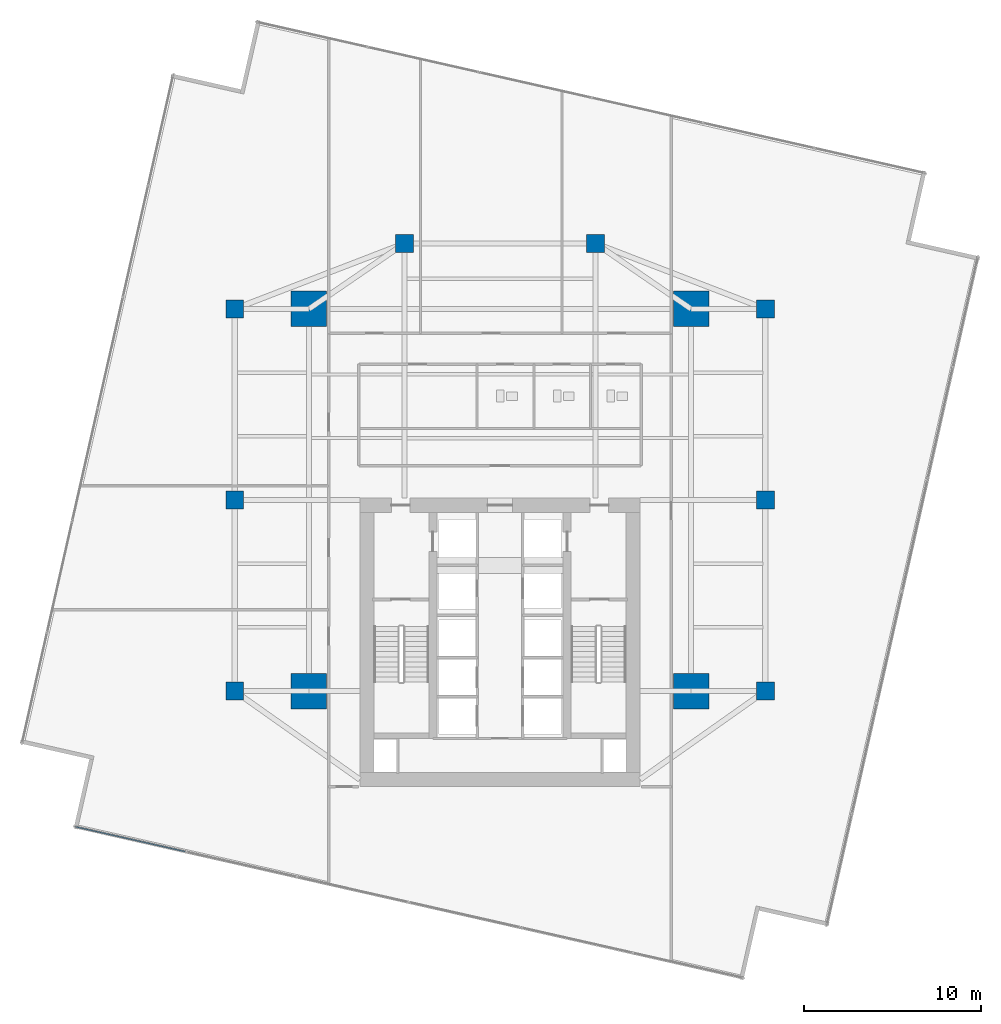
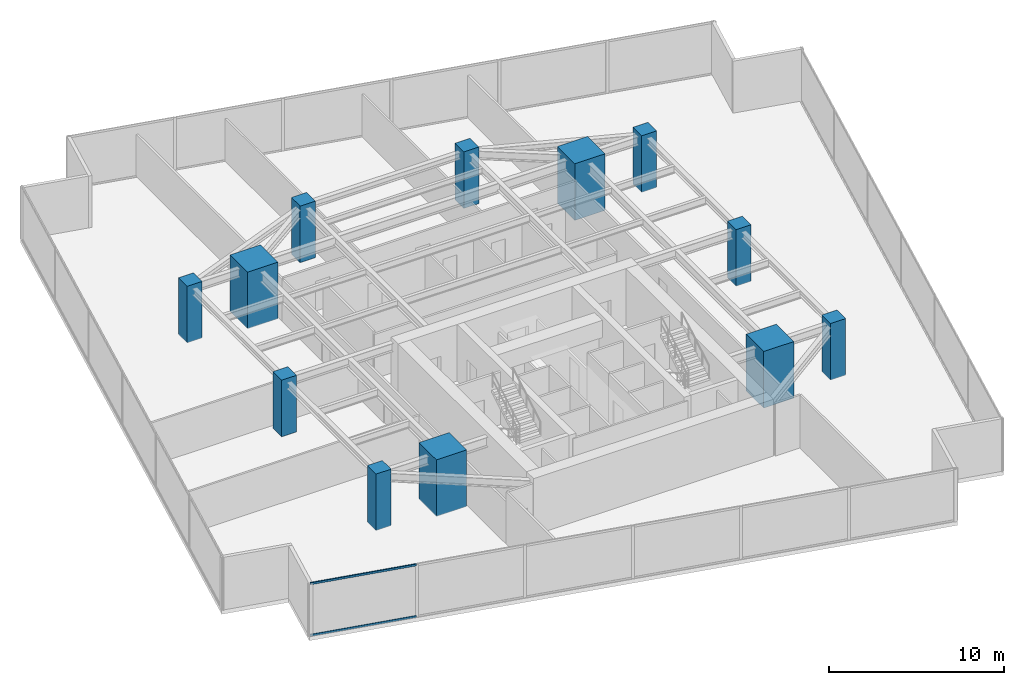
# One storey, part 1 of 27: 12 columns, 2 members, 1 element without a shape of its own.
"""IFC4 building model written with IfcOpenShell, lengths in metres."""

from ifc_helpers import new_model, si_unit, direction, frame, origin, origin_2d, place, context, subcontext, project, spatial, rectangle, hollow_rectangle, extrude, source, transform, mapped, material, material_profile, profile_set, type_object, type_shapes, element, aggregate, save


model = new_model("IFC4")

# Units and contexts
model_context = context("Model", 3, precision=1e-05, world=origin(), true_north=direction((0.0, 1.0)))
body_context = subcontext(model_context, "Body", "Model", "MODEL_VIEW")
ifc_project = project(units=[si_unit("LENGTHUNIT", "METRE"), si_unit("AREAUNIT", "SQUARE_METRE"), si_unit("VOLUMEUNIT", "CUBIC_METRE"), si_unit("PLANEANGLEUNIT", "RADIAN"), si_unit("MASSUNIT", "GRAM", prefix="KILO")], contexts=[model_context])

# Site, building, storey
site_placement = place(None, origin())
site = spatial("IfcSite", under=ifc_project, at=site_placement, CompositionType="ELEMENT")
building_placement = place(site_placement, origin())
building = spatial("IfcBuilding", under=site, at=building_placement, Name="Krantzveldt Concourse Tower", CompositionType="ELEMENT")
storey_placement = place(building_placement, frame((0.0, 0.0, 86.10009765625)))
storey = spatial("IfcBuildingStorey", under=building, at=storey_placement, Name="L20", CompositionType="ELEMENT", Elevation=86.10009765625)

# Columns
ifc_material_1 = material(Name="Concrete C60/75", Category="concrete")
ifc_material_profile_1 = material_profile(ifc_material_1, rectangle(XDim=2.0, YDim=2.0, at=origin_2d()), Name="Concrete C60/75", Category="concrete")
ifc_profile_set_1 = profile_set([ifc_material_profile_1], Name="Concrete C60/75 - RC 2000x2000")
column_type_1 = type_object("IfcColumnType", Name="COL-MC-2000", PredefinedType="USERDEFINED", material=ifc_profile_set_1)
shared_shape_1 = source(origin(), body_context, "Body", "SweptSolid", [
    extrude(rectangle(XDim=2.0, YDim=2.0, at=origin_2d()), origin(), (0.0, 0.0, 1.0), 3.949951171875),
])
type_shapes(column_type_1, [shared_shape_1])
for number, where, z_axis, x_axis, name in (
    (1, (25.199951171875, 15.89990234375, 0.0), (0.0, 0.0, 1.0), (1.0, 0.0, 0.0), "MC-SW-L20"),
    (2, (46.800048828125, 15.89990234375, 0.0), (0.0, 0.0, 1.0), (1.0, 0.0, 0.0), "MC-SE-L20"),
    (3, (46.800048828125, 37.5, 0.0), (0.0, 0.0, 1.0), (1.0, 0.0, 0.0), "MC-NE-L20"),
    (4, (25.199951171875, 37.5, 0.0), (0.0, 0.0, 1.0), (1.0, 0.0, 0.0), "MC-NW-L20"),
):
    element("IfcColumn", number, at=place(storey_placement, frame(where, z_axis=z_axis, x_axis=x_axis)), inside=storey, type_object=column_type_1, Name=name, ObjectType="MEGA COLUMN", PredefinedType="USERDEFINED", context=body_context, shape_type="MappedRepresentation", body=[
        mapped(shared_shape_1, transform((0.0, 0.0, 0.0), x_axis=(1.0, 0.0, 0.0), y_axis=(0.0, 1.0, 0.0), z_axis=(0.0, 0.0, 1.0), scale=1.0)),
    ])
ifc_material_profile_2 = material_profile(ifc_material_1, rectangle(XDim=1.0, YDim=1.0, at=origin_2d()), Name="Concrete C60/75", Category="concrete")
ifc_profile_set_2 = profile_set([ifc_material_profile_2], Name="Concrete C60/75 - RC 1000x1000")
column_type_2 = type_object("IfcColumnType", Name="COL-C-Z2", PredefinedType="COLUMN", material=ifc_profile_set_2)
shared_shape_2 = source(origin(), body_context, "Body", "SweptSolid", [
    extrude(rectangle(XDim=1.0, YDim=1.0, at=origin_2d()), origin(), (0.0, 0.0, 1.0), 3.949951171875),
])
type_shapes(column_type_2, [shared_shape_2])
for number, where, z_axis, x_axis, name in (
    (5, (21.0, 15.89990234375, 0.0), (0.0, 0.0, 1.0), (1.0, 0.0, 0.0), "PC-R01-L20"),
    (6, (21.0, 26.699951171875, 0.0), (0.0, 0.0, 1.0), (1.0, 0.0, 0.0), "PC-R02-L20"),
    (7, (21.0, 37.5, 0.0), (0.0, 0.0, 1.0), (1.0, 0.0, 0.0), "PC-R03-L20"),
    (8, (30.60009765625, 41.199951171875, 0.0), (0.0, 0.0, 1.0), (1.0, 0.0, 0.0), "PC-R04-L20"),
    (9, (41.39990234375, 41.199951171875, 0.0), (0.0, 0.0, 1.0), (1.0, 0.0, 0.0), "PC-R05-L20"),
    (10, (51.0, 37.5, 0.0), (0.0, 0.0, 1.0), (1.0, 0.0, 0.0), "PC-R06-L20"),
    (11, (51.0, 26.699951171875, 0.0), (0.0, 0.0, 1.0), (1.0, 0.0, 0.0), "PC-R07-L20"),
    (12, (51.0, 15.89990234375, 0.0), (0.0, 0.0, 1.0), (1.0, 0.0, 0.0), "PC-R08-L20"),
):
    element("IfcColumn", number, at=place(storey_placement, frame(where, z_axis=z_axis, x_axis=x_axis)), inside=storey, type_object=column_type_2, Name=name, PredefinedType="COLUMN", context=body_context, shape_type="MappedRepresentation", body=[
        mapped(shared_shape_2, transform((0.0, 0.0, 0.0), x_axis=(1.0, 0.0, 0.0), y_axis=(0.0, 1.0, 0.0), z_axis=(0.0, 0.0, 1.0), scale=1.0)),
    ])

# Curtain wall, members
ifc_material_2 = material(Name="Anodised aluminium 6063-T6", Category="aluminium")
curtain_wall_type = type_object("IfcCurtainWallType", Name="CW2", PredefinedType="USERDEFINED", material=ifc_material_2)
curtain_wall_placement = place(storey_placement, origin())
curtain_wall = element("IfcCurtainWall", 13, at=curtain_wall_placement, inside=storey, type_object=curtain_wall_type, Name="CW-L20-F04", ObjectType="UNITISED CURTAIN WALL", PredefinedType="USERDEFINED")
ifc_material_profile_3 = material_profile(ifc_material_2, hollow_rectangle(XDim=0.070068359375, YDim=0.139892578125, WallThickness=0.0048828125, at=origin_2d()), Name="Anodised aluminium 6063-T6", Category="aluminium")
ifc_profile_set_3 = profile_set([ifc_material_profile_3], Name="Anodised aluminium 6063-T6 - ALU-TRAN 140x70x5")
member_type = type_object("IfcMemberType", Name="CW-TRN-150", PredefinedType="USERDEFINED", material=ifc_profile_set_3)
shared_shape_3 = source(origin(), body_context, "Body", "SweptSolid", [
    extrude(hollow_rectangle(XDim=0.070068359375, YDim=0.139892578125, WallThickness=0.0048828125, at=origin_2d()), origin(), (0.0, 0.0, 1.0), 6.36181640625),
])
type_shapes(member_type, [shared_shape_3])
member_1_placement = place(storey_placement, frame((12.002197265625, 8.23095703125, 0.034912109375), z_axis=(0.975340894424, -0.220703737314, 0.0), x_axis=(0.220703737314, 0.975340894424, 0.0)))
member_1 = element("IfcMember", 14, at=member_1_placement, type_object=member_type, Name="CW-Z12 transom 1.1", ObjectType="TRANSOM", PredefinedType="USERDEFINED", context=body_context, shape_type="MappedRepresentation", body=[
    mapped(shared_shape_3, transform((0.0, 0.0, 0.0), x_axis=(1.0, 0.0, 0.0), y_axis=(0.0, 1.0, 0.0), z_axis=(0.0, 0.0, 1.0), scale=1.0)),
])
member_2_placement = place(storey_placement, frame((12.002197265625, 8.23095703125, 3.635009765625), z_axis=(0.975340894424, -0.220703737314, 0.0), x_axis=(0.220703737314, 0.975340894424, 0.0)))
member_2 = element("IfcMember", 15, at=member_2_placement, type_object=member_type, Name="CW-Z12 transom 1.2", ObjectType="TRANSOM", PredefinedType="USERDEFINED", context=body_context, shape_type="MappedRepresentation", body=[
    mapped(shared_shape_3, transform((0.0, 0.0, 0.0), x_axis=(1.0, 0.0, 0.0), y_axis=(0.0, 1.0, 0.0), z_axis=(0.0, 0.0, 1.0), scale=1.0)),
])
aggregate(curtain_wall, [member_1, member_2])

save(model, "model.ifc")
